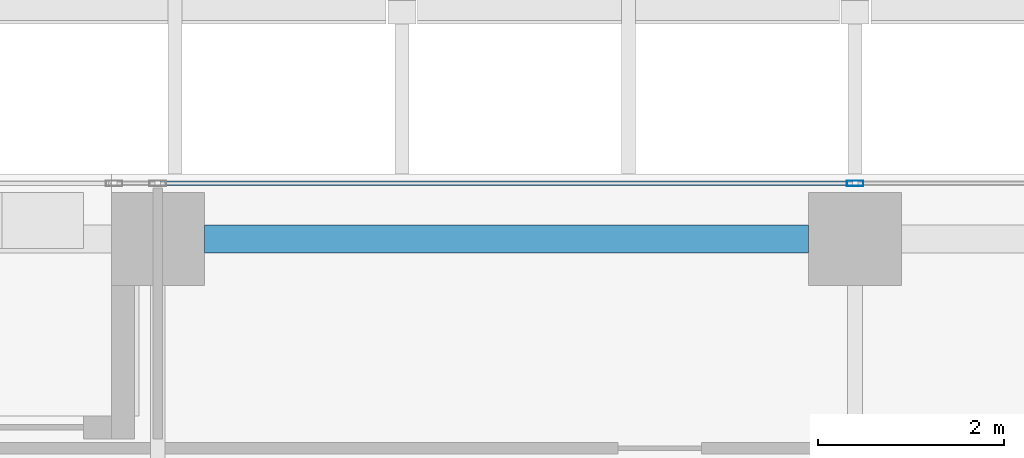
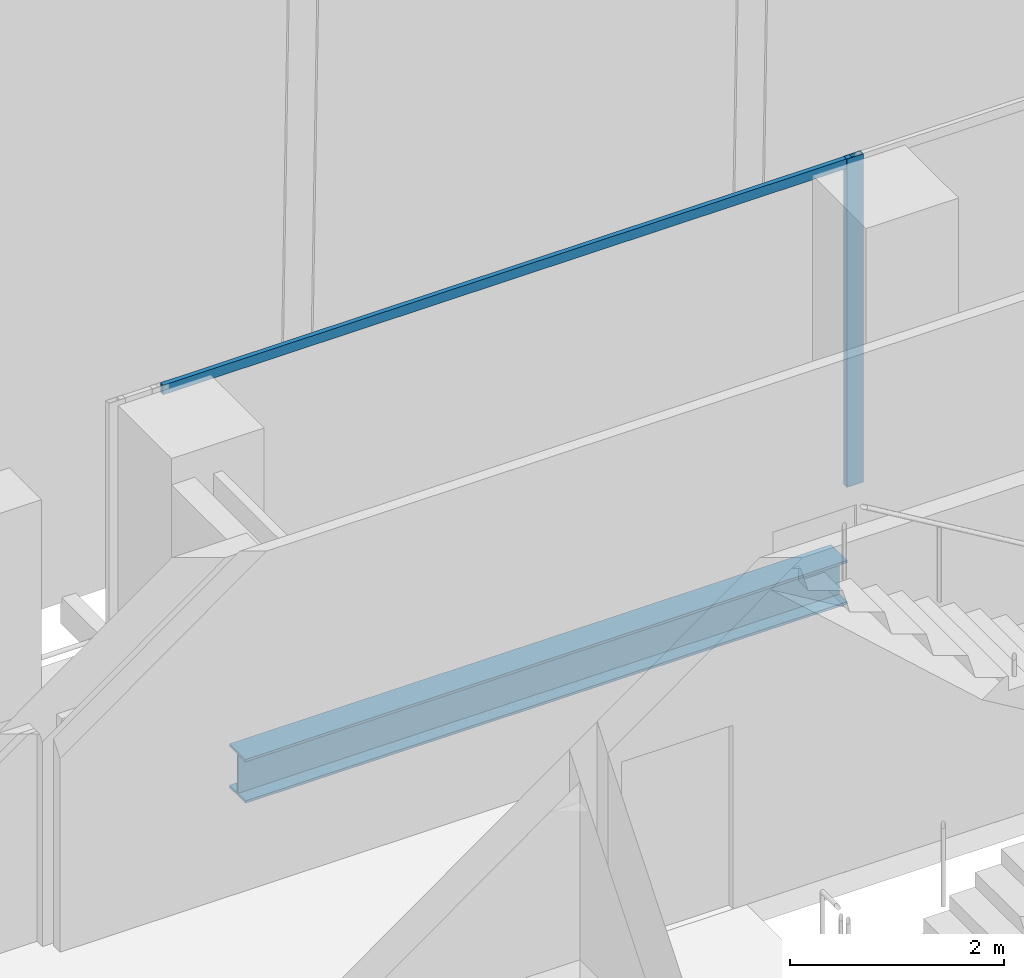
# One storey, part 17 of 35: 2 members, 1 beam, 1 element without a shape of its own.
"""IFC4 building model written with IfcOpenShell, lengths in metres."""

import ifcopenshell
import ifcopenshell.guid

model = None  # the IFC model being written
_history = None  # IfcOwnerHistory: only IFC2X3 demands one
_inside = {}  # id of a spatial element -> (the spatial element, [elements in it])
_under = {}  # id of a project, library or spatial element -> (it, [spatial elements below it])
_declared = {}  # id of a project -> (the project, [libraries it declares])
_typed = {}  # id of a type object -> (the type object, [elements of that type])
_made_of = {}  # id of a material, layer set ... -> (it, [elements and type objects made of it])


def new_model(schema):
    """Start an empty IFC model of exactly this schema.

    Asked for "IFC4X3", IfcOpenShell would pick the latest addendum, in which some entities
    have other attributes; the version numbers below select the first issue.
    IFC2X3 requires an IfcOwnerHistory on every rooted entity: one is made here for all.
    """
    global model, _history
    if schema == "IFC4X3":
        model = ifcopenshell.file(schema_version=(4, 3, 0, 0))
    else:
        model = ifcopenshell.file(schema=schema)
    _inside.clear()
    _under.clear()
    _declared.clear()
    _typed.clear()
    _made_of.clear()
    _history = None
    if model.schema == "IFC2X3":
        org = make("IfcOrganization", Name="unknown")
        user = make(
            "IfcPersonAndOrganization",
            ThePerson=make("IfcPerson", FamilyName="unknown"),
            TheOrganization=org,
        )
        app = make(
            "IfcApplication",
            ApplicationDeveloper=org,
            Version="unknown",
            ApplicationFullName="unknown",
            ApplicationIdentifier="unknown",
        )
        _history = make(
            "IfcOwnerHistory",
            OwningUser=user,
            OwningApplication=app,
            ChangeAction="ADDED",
            CreationDate=0,
        )
    return model


def make(cls, **values):
    """One entity of the class cls with the attributes given. An attribute that is None is left unset."""
    return model.create_entity(
        cls, **{name: value for name, value in values.items() if value is not None}
    )


def rooted(cls, **values):
    """An entity with a GlobalId (a new one), such as an element, a storey or a relation."""
    return make(cls, GlobalId=ifcopenshell.guid.new(), OwnerHistory=_history, **values)


def si_unit(unit_type, name, prefix=None):
    """IfcSIUnit, for example si_unit("LENGTHUNIT", "METRE", prefix="MILLI")."""
    return make("IfcSIUnit", UnitType=unit_type, Prefix=prefix, Name=name)


def assignment(units):
    """IfcUnitAssignment: the units of a project."""
    return None if units is None else make("IfcUnitAssignment", Units=units)


def point(xyz):
    """IfcCartesianPoint."""
    return None if xyz is None else make("IfcCartesianPoint", Coordinates=xyz)


def direction(xyz):
    """IfcDirection."""
    return None if xyz is None else make("IfcDirection", DirectionRatios=xyz)


def frame(location, z_axis=None, x_axis=None):
    """IfcAxis2Placement3D, a coordinate frame: its origin and axes. An axis left out is left unset."""
    return make(
        "IfcAxis2Placement3D",
        Location=point(location),
        Axis=direction(z_axis),
        RefDirection=direction(x_axis),
    )


def frame_2d(location, x_axis=None):
    """IfcAxis2Placement2D, a coordinate frame in the plane: its origin and x axis."""
    return make(
        "IfcAxis2Placement2D", Location=point(location), RefDirection=direction(x_axis)
    )


def origin():
    """The frame at (0, 0, 0) with its axes left unset."""
    return frame((0.0, 0.0, 0.0))


def origin_2d():
    """The frame at (0, 0) in the plane with its x axis left unset."""
    return frame_2d((0.0, 0.0))


def place(relative_to, where):
    """IfcLocalPlacement: puts the frame where relative to a parent placement (None: the world)."""
    return make(
        "IfcLocalPlacement", PlacementRelTo=relative_to, RelativePlacement=where
    )


def context(
    kind, dimensions, precision=None, world=None, true_north=None, identifier=None
):
    """IfcGeometricRepresentationContext, for example the 3D "Model" context."""
    return make(
        "IfcGeometricRepresentationContext",
        ContextIdentifier=identifier,
        ContextType=kind,
        CoordinateSpaceDimension=dimensions,
        Precision=precision,
        WorldCoordinateSystem=world,
        TrueNorth=true_north,
    )


def subcontext(parent, identifier, kind, view, scale=None):
    """IfcGeometricRepresentationSubContext, for example "Body" below "Model"."""
    return make(
        "IfcGeometricRepresentationSubContext",
        ContextIdentifier=identifier,
        ContextType=kind,
        ParentContext=parent,
        TargetScale=scale,
        TargetView=view,
    )


def project(units=None, contexts=None):
    """IfcProject with its units and contexts."""
    return rooted(
        "IfcProject",
        Name="project",
        RepresentationContexts=contexts,
        UnitsInContext=assignment(units),
    )


def spatial(cls, under=None, at=None, **own):
    """A site, building, storey or space (cls), placed at a placement, below another one or the project."""
    s = rooted(cls, ObjectPlacement=at, **own)
    if under is not None:
        _under.setdefault(under.id(), (under, []))[1].append(s)
    return s


def profile(cls, at=None, kind="AREA", **sizes):
    """A parametric profile (cls). Its sizes go by their IFC names, for example OverallWidth=200.0."""
    return make(cls, ProfileType=kind, Position=at, **sizes)


def hollow_rectangle(**sizes):
    """IfcRectangleHollowProfileDef."""
    return profile("IfcRectangleHollowProfileDef", **sizes)


def i_section(**sizes):
    """IfcIShapeProfileDef."""
    return profile("IfcIShapeProfileDef", **sizes)


def extrude(swept, where, along, depth):
    """IfcExtrudedAreaSolid: the profile swept, set in the frame where, extruded along a direction by depth."""
    return make(
        "IfcExtrudedAreaSolid",
        SweptArea=swept,
        Position=where,
        ExtrudedDirection=direction(along),
        Depth=depth,
    )


def shape(context_of_items, identifier, shape_type, items):
    """IfcShapeRepresentation: the items that make up one representation, for example the "Body"."""
    return make(
        "IfcShapeRepresentation",
        ContextOfItems=context_of_items,
        RepresentationIdentifier=identifier,
        RepresentationType=shape_type,
        Items=items,
    )


def source(mapping_origin, context_of_items, identifier, shape_type, items):
    """IfcRepresentationMap: a shape defined once, which mapped items show again and again."""
    return make(
        "IfcRepresentationMap",
        MappingOrigin=mapping_origin,
        MappedRepresentation=shape(context_of_items, identifier, shape_type, items),
    )


def transform(
    local_origin,
    x_axis=None,
    y_axis=None,
    z_axis=None,
    scale=None,
    scale2=None,
    scale3=None,
    uniform=True,
):
    """IfcCartesianTransformationOperator3D, or its non-uniform kind. x_axis, y_axis, z_axis: its Axis1, 2, 3."""
    if uniform:
        return make(
            "IfcCartesianTransformationOperator3D",
            Axis1=direction(x_axis),
            Axis2=direction(y_axis),
            LocalOrigin=point(local_origin),
            Scale=scale,
            Axis3=direction(z_axis),
        )
    return make(
        "IfcCartesianTransformationOperator3DnonUniform",
        Axis1=direction(x_axis),
        Axis2=direction(y_axis),
        LocalOrigin=point(local_origin),
        Scale=scale,
        Axis3=direction(z_axis),
        Scale2=scale2,
        Scale3=scale3,
    )


def mapped(mapping_source, mapping_target):
    """IfcMappedItem: shows the shape of a source again, moved by a transform."""
    return make(
        "IfcMappedItem", MappingSource=mapping_source, MappingTarget=mapping_target
    )


def material(Name=None, Category=None):
    """IfcMaterial."""
    return make("IfcMaterial", Name=Name, Category=Category)


def material_profile(
    of_material, cross_section, Name=None, Category=None, Priority=None
):
    """IfcMaterialProfile: a cross section and its material."""
    return make(
        "IfcMaterialProfile",
        Name=Name,
        Material=of_material,
        Profile=cross_section,
        Priority=Priority,
        Category=Category,
    )


def profile_set(profiles, Name=None, composite=None):
    """IfcMaterialProfileSet."""
    return make(
        "IfcMaterialProfileSet",
        Name=Name,
        MaterialProfiles=profiles,
        CompositeProfile=composite,
    )


def made_of(thing, what):
    """Note that an element or type object is made of a material, layer set ...; save() writes the relation."""
    if what is not None:
        _made_of.setdefault(what.id(), (what, []))[1].append(thing)
    return thing


def type_object(cls, material=None, **own):
    """A type object (cls), such as IfcWallType, which elements share."""
    return made_of(rooted(cls, **own), material)


def element(
    cls,
    number,
    at=None,
    inside=None,
    cuts=None,
    type_object=None,
    material=None,
    context=None,
    identifier="Body",
    shape_type=None,
    held_by="IfcProductDefinitionShape",
    body=None,
    shapes=None,
    **own,
):
    """One element of the class cls, such as IfcWall. Its Tag is "e" and its number.

    at: its placement. inside: the storey or other place that contains it. cuts: it is an
    opening in that element (IfcRelVoidsElement). A single representation is given by context,
    identifier, shape_type and body (its items); several are given by shapes. held_by: the class
    of the entity that holds the representations. save() writes the other relations.
    """
    e = rooted(cls, Tag="e%d" % number, ObjectPlacement=at, **own)
    if body is not None:
        shapes = [shape(context, identifier, shape_type, body)]
    if shapes is not None:
        e.Representation = make(held_by, Representations=shapes)
    if inside is not None:
        _inside.setdefault(inside.id(), (inside, []))[1].append(e)
    if cuts is not None:
        rooted(
            "IfcRelVoidsElement", RelatingBuildingElement=cuts, RelatedOpeningElement=e
        )
    if type_object is not None:
        _typed.setdefault(type_object.id(), (type_object, []))[1].append(e)
    return made_of(e, material)


def aggregate(whole, parts):
    """IfcRelAggregates: a whole, such as a stair, and the parts it consists of."""
    return rooted("IfcRelAggregates", RelatingObject=whole, RelatedObjects=parts)


def save(model, path):
    """Write the relations noted so far, then the file.

    IfcRelAggregates (storeys below a building ...), IfcRelContainedInSpatialStructure (elements
    in a storey), IfcRelDefinesByType, IfcRelAssociatesMaterial and IfcRelDeclares: one each for
    every whole, place, type object, material and project.
    """
    for whole, parts in _under.values():
        aggregate(whole, parts)
    for where, things in _inside.values():
        rooted(
            "IfcRelContainedInSpatialStructure",
            RelatedElements=things,
            RelatingStructure=where,
        )
    for kind, things in _typed.values():
        rooted("IfcRelDefinesByType", RelatedObjects=things, RelatingType=kind)
    for what, things in _made_of.values():
        rooted("IfcRelAssociatesMaterial", RelatedObjects=things, RelatingMaterial=what)
    for by, libraries in _declared.values():
        rooted("IfcRelDeclares", RelatingContext=by, RelatedDefinitions=libraries)
    model.write(path)


model = new_model("IFC4")

# Units and contexts
model_context = context("Model", 3, precision=1e-05, world=origin(), true_north=direction((0.0, 1.0)))
body_context = subcontext(model_context, "Body", "Model", "MODEL_VIEW")
ifc_project = project(units=[si_unit("LENGTHUNIT", "METRE"), si_unit("AREAUNIT", "SQUARE_METRE"), si_unit("VOLUMEUNIT", "CUBIC_METRE"), si_unit("PLANEANGLEUNIT", "RADIAN"), si_unit("MASSUNIT", "GRAM", prefix="KILO")], contexts=[model_context])

# Site, building, storey
site_placement = place(None, origin())
site = spatial("IfcSite", under=ifc_project, at=site_placement, CompositionType="ELEMENT")
building_placement = place(site_placement, origin())
building = spatial("IfcBuilding", under=site, at=building_placement, Name="Khomas Fold Tower", CompositionType="ELEMENT")
storey_placement = place(building_placement, frame((0.0, 0.0, 188.699951171875)))
storey = spatial("IfcBuildingStorey", under=building, at=storey_placement, Name="L41", CompositionType="ELEMENT", Elevation=188.699951171875)

# Beam
ifc_material_1 = material(Name="Steel S355", Category="steel")
ifc_material_profile_1 = material_profile(ifc_material_1, i_section(OverallWidth=0.300048828125, OverallDepth=0.5, WebThickness=0.014404296875, FlangeThickness=0.028076171875, at=origin_2d()), Name="HE 500 B")
ifc_profile_set_1 = profile_set([ifc_material_profile_1], Name="Steel S355")
beam_type = type_object("IfcBeamType", Name="HE 500 B spandrel SB3", PredefinedType="SPANDREL", material=ifc_profile_set_1)
shared_shape_1 = source(origin(), body_context, "Body", "SweptSolid", [
    extrude(i_section(OverallWidth=0.300048828125, OverallDepth=0.5, WebThickness=0.014404296875, FlangeThickness=0.028076171875, at=origin_2d()), origin(), (0.0, 0.0, 1.0), 6.5),
])
beam_placement = place(storey_placement, frame((20.0, 50.300048828125, -0.5), z_axis=(1.0, 0.0, 0.0), x_axis=(0.0, 1.0, 0.0)))
element("IfcBeam", 1, at=beam_placement, inside=storey, type_object=beam_type, Name="SB3", PredefinedType="SPANDREL", context=body_context, shape_type="MappedRepresentation", body=[
    mapped(shared_shape_1, transform((0.0, 0.0, 0.0))),
])

# Curtain wall, members
ifc_material_2 = material(Name="Aluminium framed double glazing", Category="aluminium")
curtain_wall_type = type_object("IfcCurtainWallType", Name="SK-Unitised clear-glass wall, office floors CW2", PredefinedType="NOTDEFINED", material=ifc_material_2)
curtain_wall_placement = place(storey_placement, origin())
curtain_wall = element("IfcCurtainWall", 2, at=curtain_wall_placement, inside=storey, type_object=curtain_wall_type, Name="CW2 run L41 06-0", PredefinedType="NOTDEFINED")
ifc_material_3 = material(Name="Aluminium", Category="aluminium")
ifc_material_profile_2 = material_profile(ifc_material_3, hollow_rectangle(XDim=0.06005859375, YDim=0.179931640625, WallThickness=0.00390625, at=origin_2d()), Name="SK-Unitised clear-glass wall, office floors mullion CW2-M")
ifc_profile_set_2 = profile_set([ifc_material_profile_2], Name="Aluminium")
member_type_1 = type_object("IfcMemberType", Name="SK-Unitised clear-glass wall, office floors mullion CW2-M", PredefinedType="MULLION", material=ifc_profile_set_2)
shared_shape_2 = source(origin(), body_context, "Body", "SweptSolid", [
    extrude(hollow_rectangle(XDim=0.06005859375, YDim=0.179931640625, WallThickness=0.00390625, at=origin_2d()), origin(), (0.0, 0.0, 1.0), 3.75),
])
member_1_placement = place(storey_placement, frame((27.0, 50.89990234375, 0.0), z_axis=(0.0, 0.0, 1.0), x_axis=(0.0, -1.0, 0.0)))
member_1 = element("IfcMember", 3, at=member_1_placement, type_object=member_type_1, Name="CW2 mullion 3", PredefinedType="MULLION", context=body_context, shape_type="MappedRepresentation", body=[
    mapped(shared_shape_2, transform((0.0, 0.0, 0.0))),
])
ifc_material_4 = material(Name="Aluminium", Category="aluminium")
ifc_material_profile_3 = material_profile(ifc_material_4, hollow_rectangle(XDim=0.050048828125, YDim=0.110107421875, WallThickness=0.00390625, at=origin_2d()), Name="SK-Unitised clear-glass wall, office floors transom CW2-T")
ifc_profile_set_3 = profile_set([ifc_material_profile_3], Name="Aluminium")
member_type_2 = type_object("IfcMemberType", Name="SK-Unitised clear-glass wall, office floors transom CW2-T", PredefinedType="USERDEFINED", material=ifc_profile_set_3)
shared_shape_3 = source(origin(), body_context, "Body", "SweptSolid", [
    extrude(hollow_rectangle(XDim=0.050048828125, YDim=0.110107421875, WallThickness=0.00390625, at=origin_2d()), origin(), (0.0, 0.0, 1.0), 7.43994140625),
])
member_2_placement = place(storey_placement, frame((26.969970703125, 50.89990234375, 3.695068359375), z_axis=(-1.0, 0.0, 0.0), x_axis=(0.0, -1.0, 0.0)))
member_2 = element("IfcMember", 4, at=member_2_placement, type_object=member_type_2, Name="CW2 transom 3", ObjectType="TRANSOM", PredefinedType="USERDEFINED", context=body_context, shape_type="MappedRepresentation", body=[
    mapped(shared_shape_3, transform((0.0, 0.0, 0.0))),
])
aggregate(curtain_wall, [member_1, member_2])

save(model, "model.ifc")
